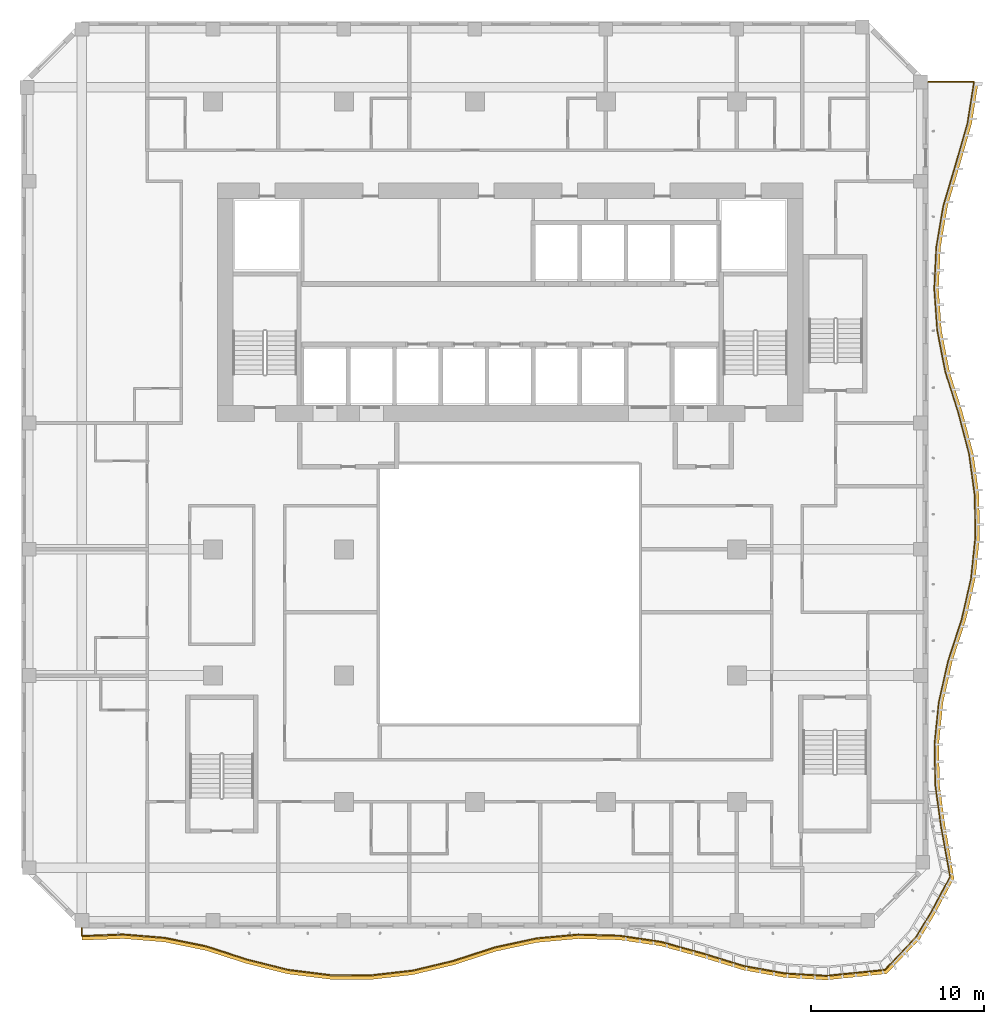
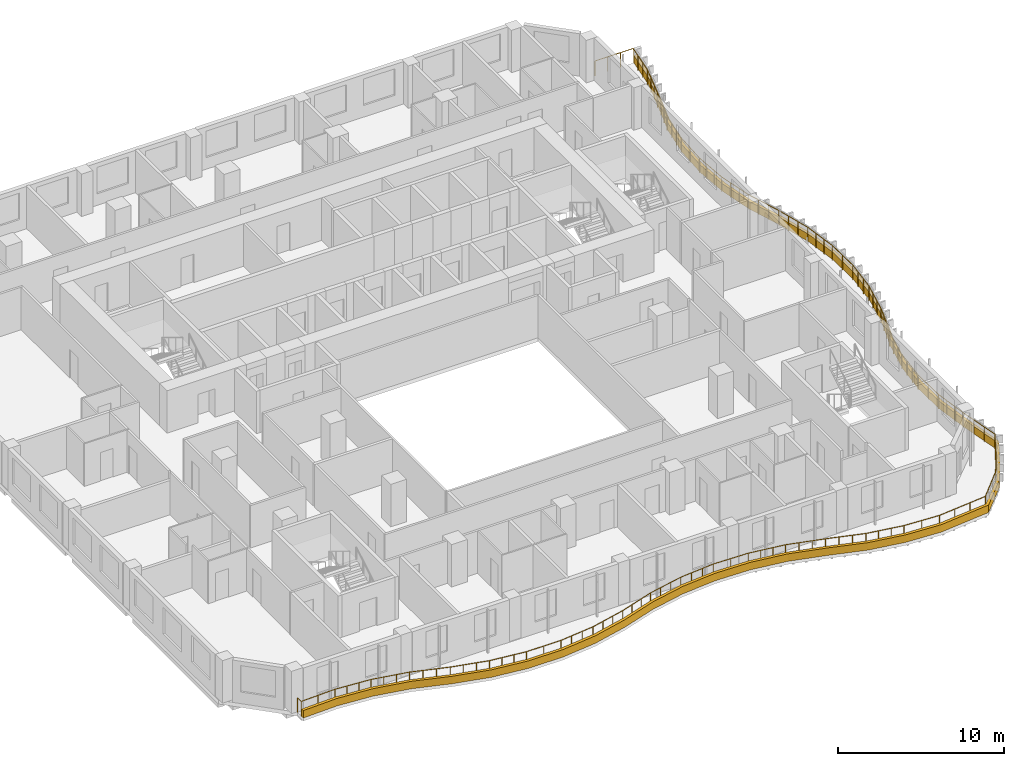
# One storey, part 15 of 20: 1 railing, 1 shading device.
"""IFC4 building model written with IfcOpenShell, lengths in metres."""

from ifc_helpers import new_model, si_unit, direction, frame, origin, origin_2d, place, context, subcontext, project, spatial, polyline, circle, outline, extrude, source, transform, mapped, material, layer, layer_set, type_object, element, save


model = new_model("IFC4")

# Units and contexts
model_context = context("Model", 3, precision=1e-05, world=origin(), true_north=direction((0.0, 1.0)))
body_context = subcontext(model_context, "Body", "Model", "MODEL_VIEW")
ifc_project = project(units=[si_unit("LENGTHUNIT", "METRE"), si_unit("AREAUNIT", "SQUARE_METRE"), si_unit("VOLUMEUNIT", "CUBIC_METRE"), si_unit("PLANEANGLEUNIT", "RADIAN"), si_unit("MASSUNIT", "GRAM", prefix="KILO")], contexts=[model_context])

# Site, building, storey
site_placement = place(None, origin())
site = spatial("IfcSite", under=ifc_project, at=site_placement, CompositionType="ELEMENT")
building_placement = place(site_placement, origin())
building = spatial("IfcBuilding", under=site, at=building_placement, Name="Kilnfold Tower and Market Hall", CompositionType="ELEMENT")
storey_placement = place(building_placement, frame((0.0, 0.0, 157.5)))
storey = spatial("IfcBuildingStorey", under=building, at=storey_placement, Name="L36", CompositionType="ELEMENT", Elevation=157.5)

# Railing
ifc_material_1 = material(Name="Stainless steel and laminated glass", Category="steel")
railing_type = type_object("IfcRailingType", Name="GUARD 1100", PredefinedType="GUARDRAIL", material=ifc_material_1)
railing_placement = place(storey_placement, frame((-23.75, -21.25, 0.0)))
element("IfcRailing", 1, at=railing_placement, inside=storey, type_object=railing_type, Name="Guard balcony L36", PredefinedType="GUARDRAIL", context=body_context, shape_type="SweptSolid", body=[
    extrude(circle(Radius=0.02490234375, at=origin_2d()), frame((0.0, 0.0, 1.0751953125), z_axis=(0.0, -1.0, 0.0), x_axis=(1.0, 0.0, 0.0)), (0.0, 0.0, 1.0), 0.4453125),
    extrude(circle(Radius=0.02490234375, at=origin_2d()), frame((0.0, -0.4453125, 1.0751953125), z_axis=(0.999285499224, 0.037795383853, 0.0), x_axis=(-0.037795383853, 0.999285499224, 0.0)), (0.0, 0.0, 1.0), 2.396484375),
    extrude(circle(Radius=0.02490234375, at=origin_2d()), frame((2.394775390625, -0.354736328125, 1.0751953125), z_axis=(0.996698894038, -0.081186911646, 0.0), x_axis=(0.081186911646, 0.996698894038, 0.0)), (0.0, 0.0, 1.0), 2.402587890625),
    extrude(circle(Radius=0.02490234375, at=origin_2d()), frame((4.78955078125, -0.5498046875, 1.0751953125), z_axis=(0.979777288655, -0.200091140821, 0.0), x_axis=(0.200091140821, 0.979777288655, 0.0)), (0.0, 0.0, 1.0), 2.44384765625),
    extrude(circle(Radius=0.02490234375, at=origin_2d()), frame((7.18408203125, -1.038818359375, 1.0751953125), z_axis=(0.951884070417, -0.306458343804, 0.0), x_axis=(0.306458343804, 0.951884070417, 0.0)), (0.0, 0.0, 1.0), 2.515869140625),
    extrude(circle(Radius=0.02490234375, at=origin_2d()), frame((9.578857421875, -1.809814453125, 1.0751953125), z_axis=(0.970078474346, -0.24279158472, 0.0), x_axis=(0.24279158472, 0.970078474346, 0.0)), (0.0, 0.0, 1.0), 2.46875),
    extrude(circle(Radius=0.02490234375, at=origin_2d()), frame((11.9736328125, -2.4091796875, 1.0751953125), z_axis=(0.992291877345, -0.123922678127, 0.0), x_axis=(0.123922678127, 0.992291877345, 0.0)), (0.0, 0.0, 1.0), 2.413330078125),
    extrude(circle(Radius=0.02490234375, at=origin_2d()), frame((14.368408203125, -2.708251953125, 1.0751953125), z_axis=(0.999987523161, -0.004995350049, 0.0), x_axis=(0.004995350049, 0.999987523161, 0.0)), (0.0, 0.0, 1.0), 2.394775390625),
    extrude(circle(Radius=0.02490234375, at=origin_2d()), frame((16.76318359375, -2.72021484375, 1.0751953125), z_axis=(0.993475745503, 0.114043601737, 0.0), x_axis=(-0.114043601737, 0.993475745503, 0.0)), (0.0, 0.0, 1.0), 2.410400390625),
    extrude(circle(Radius=0.02490234375, at=origin_2d()), frame((19.157958984375, -2.4453125, 1.0751953125), z_axis=(0.972475433643, 0.233005431185, 0.0), x_axis=(-0.233005431185, 0.972475433643, 0.0)), (0.0, 0.0, 1.0), 2.46240234375),
    extrude(circle(Radius=0.02490234375, at=origin_2d()), frame((21.552490234375, -1.87158203125, 1.0751953125), z_axis=(0.951041192838, 0.309064151149, 0.0), x_axis=(-0.309064151149, 0.951041192838, 0.0)), (0.0, 0.0, 1.0), 2.518310546875),
    extrude(circle(Radius=0.02490234375, at=origin_2d()), frame((23.947509765625, -1.09326171875, 1.0751953125), z_axis=(0.977694334529, 0.210032826555, 0.0), x_axis=(-0.210032826555, 0.977694334529, 0.0)), (0.0, 0.0, 1.0), 2.44921875),
    extrude(circle(Radius=0.02490234375, at=origin_2d()), frame((26.342041015625, -0.578857421875, 1.0751953125), z_axis=(0.995854001632, 0.090965968545, 0.0), x_axis=(-0.090965968545, 0.995854001632, 0.0)), (0.0, 0.0, 1.0), 2.40478515625),
    extrude(circle(Radius=0.02490234375, at=origin_2d()), frame((28.73681640625, -0.360107421875, 1.0751953125), z_axis=(0.999610087106, -0.027922638788, 0.0), x_axis=(0.027922638788, 0.999610087106, 0.0)), (0.0, 0.0, 1.0), 2.395751953125),
    extrude(circle(Radius=0.02490234375, at=origin_2d()), frame((31.131591796875, -0.427001953125, 1.0751953125), z_axis=(0.989162274279, -0.146826411597, 0.0), x_axis=(0.146826411597, 0.989162274279, 0.0)), (0.0, 0.0, 1.0), 2.4208984375),
    extrude(circle(Radius=0.02490234375, at=origin_2d()), frame((33.5263671875, -0.782470703125, 1.0751953125), z_axis=(0.964041254031, -0.265752630329, 0.0), x_axis=(0.265752630329, 0.964041254031, 0.0)), (0.0, 0.0, 1.0), 2.484130859375),
    extrude(circle(Radius=0.02490234375, at=origin_2d()), frame((35.921142578125, -1.442626953125, 1.0751953125), z_axis=(0.95578322222, -0.294072154619, 0.0), x_axis=(0.294072154619, 0.95578322222, 0.0)), (0.0, 0.0, 1.0), 2.505615234375),
    extrude(circle(Radius=0.02490234375, at=origin_2d()), frame((38.31591796875, -2.179443359375, 1.0751953125), z_axis=(0.984191021013, -0.177110231657, 0.0), x_axis=(0.177110231657, 0.984191021013, 0.0)), (0.0, 0.0, 1.0), 2.43310546875),
    extrude(circle(Radius=0.02490234375, at=origin_2d()), frame((40.71044921875, -2.6103515625, 1.0751953125), z_axis=(0.998304074766, -0.058214897621, 0.0), x_axis=(0.058214897621, 0.998304074766, 0.0)), (0.0, 0.0, 1.0), 2.39892578125),
    extrude(circle(Radius=0.02490234375, at=origin_2d()), frame((43.105224609375, -2.75, 1.0751953125), z_axis=(0.994895073816, 0.100914776402, 0.0), x_axis=(-0.100914776402, 0.994895073816, 0.0)), (0.0, 0.0, 1.0), 3.40869140625),
    extrude(circle(Radius=0.02490234375, at=origin_2d()), frame((46.49658203125, -2.406005859375, 1.0751953125), z_axis=(0.687903209609, 0.725802434696, 0.0), x_axis=(-0.725802434696, 0.687903209609, 0.0)), (0.0, 0.0, 1.0), 2.647705078125),
    extrude(circle(Radius=0.02490234375, at=origin_2d()), frame((48.31787109375, -0.484375, 1.0751953125), z_axis=(0.514179076421, 0.857682853606, 0.0), x_axis=(-0.857682853606, 0.514179076421, 0.0)), (0.0, 0.0, 1.0), 1.70068359375),
    extrude(circle(Radius=0.02490234375, at=origin_2d()), frame((49.1923828125, 0.974365234375, 1.0751953125), z_axis=(0.473080286495, 0.88101932018, 0.0), x_axis=(-0.88101932018, 0.473080286495, 0.0)), (0.0, 0.0, 1.0), 2.271240234375),
    extrude(circle(Radius=0.02490234375, at=origin_2d()), frame((50.266845703125, 2.975341796875, 1.0751953125), z_axis=(-0.177914965773, 0.98404586527, 0.0), x_axis=(-0.98404586527, -0.177914965773, 0.0)), (0.0, 0.0, 1.0), 2.966796875),
    extrude(circle(Radius=0.02490234375, at=origin_2d()), frame((49.739013671875, 5.894775390625, 1.0751953125), z_axis=(-0.136343479857, 0.990661625128, 0.0), x_axis=(-0.990661625128, -0.136343479857, 0.0)), (0.0, 0.0, 1.0), 2.417236328125),
    extrude(circle(Radius=0.02490234375, at=origin_2d()), frame((49.409423828125, 8.28955078125, 1.0751953125), z_axis=(-0.017330186539, 0.99984982104, 0.0), x_axis=(-0.99984982104, -0.017330186539, 0.0)), (0.0, 0.0, 1.0), 2.394775390625),
    extrude(circle(Radius=0.02490234375, at=origin_2d()), frame((49.367919921875, 10.68408203125, 1.0751953125), z_axis=(0.101521881914, 0.994833306385, 0.0), x_axis=(-0.994833306385, 0.101521881914, 0.0)), (0.0, 0.0, 1.0), 2.4072265625),
    extrude(circle(Radius=0.02490234375, at=origin_2d()), frame((49.6123046875, 13.078857421875, 1.0751953125), z_axis=(0.220456200603, 0.975396874926, 0.0), x_axis=(-0.975396874926, 0.220456200603, 0.0)), (0.0, 0.0, 1.0), 2.455078125),
    extrude(circle(Radius=0.02490234375, at=origin_2d()), frame((50.153564453125, 15.4736328125, 1.0751953125), z_axis=(0.310231980147, 0.950660885118, 0.0), x_axis=(-0.950660885118, 0.310231980147, 0.0)), (0.0, 0.0, 1.0), 2.51904296875),
    extrude(circle(Radius=0.02490234375, at=origin_2d()), frame((50.93505859375, 17.868408203125, 1.0751953125), z_axis=(0.222441554451, 0.974946026636, 0.0), x_axis=(-0.974946026636, 0.222441554451, 0.0)), (0.0, 0.0, 1.0), 2.456298828125),
    extrude(circle(Radius=0.02490234375, at=origin_2d()), frame((51.4814453125, 20.26318359375, 1.0751953125), z_axis=(0.103428446803, 0.994636896758, 0.0), x_axis=(-0.994636896758, 0.103428446803, 0.0)), (0.0, 0.0, 1.0), 2.40771484375),
    extrude(circle(Radius=0.02490234375, at=origin_2d()), frame((51.73046875, 22.657958984375, 1.0751953125), z_axis=(-0.015393771191, 0.999881508884, 0.0), x_axis=(-0.999881508884, -0.015393771191, 0.0)), (0.0, 0.0, 1.0), 2.394775390625),
    extrude(circle(Radius=0.02490234375, at=origin_2d()), frame((51.693603515625, 25.052490234375, 1.0751953125), z_axis=(-0.134446048726, 0.9909209151, 0.0), x_axis=(-0.9909209151, -0.134446048726, 0.0)), (0.0, 0.0, 1.0), 2.4169921875),
    extrude(circle(Radius=0.02490234375, at=origin_2d()), frame((51.36865234375, 27.447509765625, 1.0751953125), z_axis=(-0.253381367765, 0.967366467513, 0.0), x_axis=(-0.967366467513, -0.253381367765, 0.0)), (0.0, 0.0, 1.0), 2.475341796875),
    extrude(circle(Radius=0.02490234375, at=origin_2d()), frame((50.741455078125, 29.842041015625, 1.0751953125), z_axis=(-0.301875510226, 0.953347353448, 0.0), x_axis=(-0.953347353448, -0.301875510226, 0.0)), (0.0, 0.0, 1.0), 2.511962890625),
    extrude(circle(Radius=0.02490234375, at=origin_2d()), frame((49.983154296875, 32.23681640625, 1.0751953125), z_axis=(-0.189586154087, 0.981864089464, 0.0), x_axis=(-0.981864089464, -0.189586154087, 0.0)), (0.0, 0.0, 1.0), 2.43896484375),
    extrude(circle(Radius=0.02490234375, at=origin_2d()), frame((49.520751953125, 34.631591796875, 1.0751953125), z_axis=(-0.070574930945, 0.997506480742, 0.0), x_axis=(-0.997506480742, -0.070574930945, 0.0)), (0.0, 0.0, 1.0), 2.40087890625),
    extrude(circle(Radius=0.02490234375, at=origin_2d()), frame((49.351318359375, 37.0263671875, 1.0751953125), z_axis=(0.048266647613, 0.998834486153, 0.0), x_axis=(-0.998834486153, 0.048266647613, 0.0)), (0.0, 0.0, 1.0), 2.3974609375),
    extrude(circle(Radius=0.02490234375, at=origin_2d()), frame((49.467041015625, 39.421142578125, 1.0751953125), z_axis=(0.167250644967, 0.985914408941, 0.0), x_axis=(-0.985914408941, 0.167250644967, 0.0)), (0.0, 0.0, 1.0), 2.428955078125),
    extrude(circle(Radius=0.02490234375, at=origin_2d()), frame((49.873291015625, 41.81591796875, 1.0751953125), z_axis=(0.285967241733, 0.958239394231, 0.0), x_axis=(-0.958239394231, 0.285967241733, 0.0)), (0.0, 0.0, 1.0), 2.498779296875),
    extrude(circle(Radius=0.02490234375, at=origin_2d()), frame((50.587890625, 44.21044921875, 1.0751953125), z_axis=(0.275665835202, 0.961253529149, 0.0), x_axis=(-0.961253529149, 0.275665835202, 0.0)), (0.0, 0.0, 1.0), 2.4912109375),
    extrude(circle(Radius=0.02490234375, at=origin_2d()), frame((51.274658203125, 46.605224609375, 1.0751953125), z_axis=(0.156769103124, 0.987635281015, 0.0), x_axis=(-0.987635281015, 0.156769103124, 0.0)), (0.0, 0.0, 1.0), 2.4248046875),
    extrude(circle(Radius=0.02490234375, at=origin_2d()), frame((51.65478515625, 49.0, 1.0751953125), z_axis=(-1.0, 0.0, 0.0), x_axis=(0.0, -1.0, 0.0)), (0.0, 0.0, 1.0), 2.65478515625),
    extrude(circle(Radius=0.02490234375, at=origin_2d()), origin(), (0.0, 0.0, 1.0), 1.050048828125),
    extrude(circle(Radius=0.02490234375, at=origin_2d()), frame((0.0, -0.4453125, 0.0)), (0.0, 0.0, 1.0), 1.050048828125),
    extrude(circle(Radius=0.02490234375, at=origin_2d()), frame((1.197265625, -0.39990234375, 0.0)), (0.0, 0.0, 1.0), 1.050048828125),
    extrude(circle(Radius=0.02490234375, at=origin_2d()), frame((2.394775390625, -0.354736328125, 0.0)), (0.0, 0.0, 1.0), 1.050048828125),
    extrude(circle(Radius=0.02490234375, at=origin_2d()), frame((3.193115234375, -0.419677734375, 0.0)), (0.0, 0.0, 1.0), 1.050048828125),
    extrude(circle(Radius=0.02490234375, at=origin_2d()), frame((3.9912109375, -0.48486328125, 0.0)), (0.0, 0.0, 1.0), 1.050048828125),
    extrude(circle(Radius=0.02490234375, at=origin_2d()), frame((4.78955078125, -0.5498046875, 0.0)), (0.0, 0.0, 1.0), 1.050048828125),
    extrude(circle(Radius=0.02490234375, at=origin_2d()), frame((5.587646484375, -0.712890625, 0.0)), (0.0, 0.0, 1.0), 1.050048828125),
    extrude(circle(Radius=0.02490234375, at=origin_2d()), frame((6.385986328125, -0.875732421875, 0.0)), (0.0, 0.0, 1.0), 1.050048828125),
    extrude(circle(Radius=0.02490234375, at=origin_2d()), frame((7.18408203125, -1.038818359375, 0.0)), (0.0, 0.0, 1.0), 1.050048828125),
    extrude(circle(Radius=0.02490234375, at=origin_2d()), frame((7.982421875, -1.2958984375, 0.0)), (0.0, 0.0, 1.0), 1.050048828125),
    extrude(circle(Radius=0.02490234375, at=origin_2d()), frame((8.780517578125, -1.552734375, 0.0)), (0.0, 0.0, 1.0), 1.050048828125),
    extrude(circle(Radius=0.02490234375, at=origin_2d()), frame((9.578857421875, -1.809814453125, 0.0)), (0.0, 0.0, 1.0), 1.050048828125),
    extrude(circle(Radius=0.02490234375, at=origin_2d()), frame((10.377197265625, -2.009521484375, 0.0)), (0.0, 0.0, 1.0), 1.050048828125),
    extrude(circle(Radius=0.02490234375, at=origin_2d()), frame((11.17529296875, -2.20947265625, 0.0)), (0.0, 0.0, 1.0), 1.050048828125),
    extrude(circle(Radius=0.02490234375, at=origin_2d()), frame((11.9736328125, -2.4091796875, 0.0)), (0.0, 0.0, 1.0), 1.050048828125),
    extrude(circle(Radius=0.02490234375, at=origin_2d()), frame((12.77197265625, -2.5087890625, 0.0)), (0.0, 0.0, 1.0), 1.050048828125),
    extrude(circle(Radius=0.02490234375, at=origin_2d()), frame((13.570068359375, -2.608642578125, 0.0)), (0.0, 0.0, 1.0), 1.050048828125),
    extrude(circle(Radius=0.02490234375, at=origin_2d()), frame((14.368408203125, -2.708251953125, 0.0)), (0.0, 0.0, 1.0), 1.050048828125),
    extrude(circle(Radius=0.02490234375, at=origin_2d()), frame((15.56591796875, -2.71435546875, 0.0)), (0.0, 0.0, 1.0), 1.050048828125),
    extrude(circle(Radius=0.02490234375, at=origin_2d()), frame((16.76318359375, -2.72021484375, 0.0)), (0.0, 0.0, 1.0), 1.050048828125),
    extrude(circle(Radius=0.02490234375, at=origin_2d()), frame((17.5615234375, -2.628662109375, 0.0)), (0.0, 0.0, 1.0), 1.050048828125),
    extrude(circle(Radius=0.02490234375, at=origin_2d()), frame((18.359619140625, -2.536865234375, 0.0)), (0.0, 0.0, 1.0), 1.050048828125),
    extrude(circle(Radius=0.02490234375, at=origin_2d()), frame((19.157958984375, -2.4453125, 0.0)), (0.0, 0.0, 1.0), 1.050048828125),
    extrude(circle(Radius=0.02490234375, at=origin_2d()), frame((19.9560546875, -2.254150390625, 0.0)), (0.0, 0.0, 1.0), 1.050048828125),
    extrude(circle(Radius=0.02490234375, at=origin_2d()), frame((20.75439453125, -2.062744140625, 0.0)), (0.0, 0.0, 1.0), 1.050048828125),
    extrude(circle(Radius=0.02490234375, at=origin_2d()), frame((21.552490234375, -1.87158203125, 0.0)), (0.0, 0.0, 1.0), 1.050048828125),
    extrude(circle(Radius=0.02490234375, at=origin_2d()), frame((22.350830078125, -1.612060546875, 0.0)), (0.0, 0.0, 1.0), 1.050048828125),
    extrude(circle(Radius=0.02490234375, at=origin_2d()), frame((23.149169921875, -1.352783203125, 0.0)), (0.0, 0.0, 1.0), 1.050048828125),
    extrude(circle(Radius=0.02490234375, at=origin_2d()), frame((23.947509765625, -1.09326171875, 0.0)), (0.0, 0.0, 1.0), 1.050048828125),
    extrude(circle(Radius=0.02490234375, at=origin_2d()), frame((24.74560546875, -0.921875, 0.0)), (0.0, 0.0, 1.0), 1.050048828125),
    extrude(circle(Radius=0.02490234375, at=origin_2d()), frame((25.5439453125, -0.750244140625, 0.0)), (0.0, 0.0, 1.0), 1.050048828125),
    extrude(circle(Radius=0.02490234375, at=origin_2d()), frame((26.342041015625, -0.578857421875, 0.0)), (0.0, 0.0, 1.0), 1.050048828125),
    extrude(circle(Radius=0.02490234375, at=origin_2d()), frame((27.140380859375, -0.505859375, 0.0)), (0.0, 0.0, 1.0), 1.050048828125),
    extrude(circle(Radius=0.02490234375, at=origin_2d()), frame((27.9384765625, -0.43310546875, 0.0)), (0.0, 0.0, 1.0), 1.050048828125),
    extrude(circle(Radius=0.02490234375, at=origin_2d()), frame((28.73681640625, -0.360107421875, 0.0)), (0.0, 0.0, 1.0), 1.050048828125),
    extrude(circle(Radius=0.02490234375, at=origin_2d()), frame((29.93408203125, -0.3935546875, 0.0)), (0.0, 0.0, 1.0), 1.050048828125),
    extrude(circle(Radius=0.02490234375, at=origin_2d()), frame((31.131591796875, -0.427001953125, 0.0)), (0.0, 0.0, 1.0), 1.050048828125),
    extrude(circle(Radius=0.02490234375, at=origin_2d()), frame((31.929931640625, -0.54541015625, 0.0)), (0.0, 0.0, 1.0), 1.050048828125),
    extrude(circle(Radius=0.02490234375, at=origin_2d()), frame((32.72802734375, -0.6640625, 0.0)), (0.0, 0.0, 1.0), 1.050048828125),
    extrude(circle(Radius=0.02490234375, at=origin_2d()), frame((33.5263671875, -0.782470703125, 0.0)), (0.0, 0.0, 1.0), 1.050048828125),
    extrude(circle(Radius=0.02490234375, at=origin_2d()), frame((34.32470703125, -1.00244140625, 0.0)), (0.0, 0.0, 1.0), 1.050048828125),
    extrude(circle(Radius=0.02490234375, at=origin_2d()), frame((35.122802734375, -1.22265625, 0.0)), (0.0, 0.0, 1.0), 1.050048828125),
    extrude(circle(Radius=0.02490234375, at=origin_2d()), frame((35.921142578125, -1.442626953125, 0.0)), (0.0, 0.0, 1.0), 1.050048828125),
    extrude(circle(Radius=0.02490234375, at=origin_2d()), frame((36.719482421875, -1.688232421875, 0.0)), (0.0, 0.0, 1.0), 1.050048828125),
    extrude(circle(Radius=0.02490234375, at=origin_2d()), frame((37.517578125, -1.933837890625, 0.0)), (0.0, 0.0, 1.0), 1.050048828125),
    extrude(circle(Radius=0.02490234375, at=origin_2d()), frame((38.31591796875, -2.179443359375, 0.0)), (0.0, 0.0, 1.0), 1.050048828125),
    extrude(circle(Radius=0.02490234375, at=origin_2d()), frame((39.114013671875, -2.322998046875, 0.0)), (0.0, 0.0, 1.0), 1.050048828125),
    extrude(circle(Radius=0.02490234375, at=origin_2d()), frame((39.912353515625, -2.466796875, 0.0)), (0.0, 0.0, 1.0), 1.050048828125),
    extrude(circle(Radius=0.02490234375, at=origin_2d()), frame((40.71044921875, -2.6103515625, 0.0)), (0.0, 0.0, 1.0), 1.050048828125),
    extrude(circle(Radius=0.02490234375, at=origin_2d()), frame((41.90771484375, -2.68017578125, 0.0)), (0.0, 0.0, 1.0), 1.050048828125),
    extrude(circle(Radius=0.02490234375, at=origin_2d()), frame((43.105224609375, -2.75, 0.0)), (0.0, 0.0, 1.0), 1.050048828125),
    extrude(circle(Radius=0.02490234375, at=origin_2d()), frame((44.235595703125, -2.63525390625, 0.0)), (0.0, 0.0, 1.0), 1.050048828125),
    extrude(circle(Radius=0.02490234375, at=origin_2d()), frame((45.3662109375, -2.520751953125, 0.0)), (0.0, 0.0, 1.0), 1.050048828125),
    extrude(circle(Radius=0.02490234375, at=origin_2d()), frame((46.49658203125, -2.406005859375, 0.0)), (0.0, 0.0, 1.0), 1.050048828125),
    extrude(circle(Radius=0.02490234375, at=origin_2d()), frame((47.103759765625, -1.765380859375, 0.0)), (0.0, 0.0, 1.0), 1.050048828125),
    extrude(circle(Radius=0.02490234375, at=origin_2d()), frame((47.710693359375, -1.125, 0.0)), (0.0, 0.0, 1.0), 1.050048828125),
    extrude(circle(Radius=0.02490234375, at=origin_2d()), frame((48.31787109375, -0.484375, 0.0)), (0.0, 0.0, 1.0), 1.050048828125),
    extrude(circle(Radius=0.02490234375, at=origin_2d()), frame((48.755126953125, 0.2451171875, 0.0)), (0.0, 0.0, 1.0), 1.050048828125),
    extrude(circle(Radius=0.02490234375, at=origin_2d()), frame((49.1923828125, 0.974365234375, 0.0)), (0.0, 0.0, 1.0), 1.050048828125),
    extrude(circle(Radius=0.02490234375, at=origin_2d()), frame((49.7294921875, 1.974853515625, 0.0)), (0.0, 0.0, 1.0), 1.050048828125),
    extrude(circle(Radius=0.02490234375, at=origin_2d()), frame((50.266845703125, 2.975341796875, 0.0)), (0.0, 0.0, 1.0), 1.050048828125),
    extrude(circle(Radius=0.02490234375, at=origin_2d()), frame((50.0908203125, 3.948486328125, 0.0)), (0.0, 0.0, 1.0), 1.050048828125),
    extrude(circle(Radius=0.02490234375, at=origin_2d()), frame((49.9150390625, 4.921630859375, 0.0)), (0.0, 0.0, 1.0), 1.050048828125),
    extrude(circle(Radius=0.02490234375, at=origin_2d()), frame((49.739013671875, 5.894775390625, 0.0)), (0.0, 0.0, 1.0), 1.050048828125),
    extrude(circle(Radius=0.02490234375, at=origin_2d()), frame((49.629150390625, 6.693115234375, 0.0)), (0.0, 0.0, 1.0), 1.050048828125),
    extrude(circle(Radius=0.02490234375, at=origin_2d()), frame((49.519287109375, 7.4912109375, 0.0)), (0.0, 0.0, 1.0), 1.050048828125),
    extrude(circle(Radius=0.02490234375, at=origin_2d()), frame((49.409423828125, 8.28955078125, 0.0)), (0.0, 0.0, 1.0), 1.050048828125),
    extrude(circle(Radius=0.02490234375, at=origin_2d()), frame((49.388671875, 9.48681640625, 0.0)), (0.0, 0.0, 1.0), 1.050048828125),
    extrude(circle(Radius=0.02490234375, at=origin_2d()), frame((49.367919921875, 10.68408203125, 0.0)), (0.0, 0.0, 1.0), 1.050048828125),
    extrude(circle(Radius=0.02490234375, at=origin_2d()), frame((49.449462890625, 11.482421875, 0.0)), (0.0, 0.0, 1.0), 1.050048828125),
    extrude(circle(Radius=0.02490234375, at=origin_2d()), frame((49.53076171875, 12.280517578125, 0.0)), (0.0, 0.0, 1.0), 1.050048828125),
    extrude(circle(Radius=0.02490234375, at=origin_2d()), frame((49.6123046875, 13.078857421875, 0.0)), (0.0, 0.0, 1.0), 1.050048828125),
    extrude(circle(Radius=0.02490234375, at=origin_2d()), frame((49.792724609375, 13.877197265625, 0.0)), (0.0, 0.0, 1.0), 1.050048828125),
    extrude(circle(Radius=0.02490234375, at=origin_2d()), frame((49.97314453125, 14.67529296875, 0.0)), (0.0, 0.0, 1.0), 1.050048828125),
    extrude(circle(Radius=0.02490234375, at=origin_2d()), frame((50.153564453125, 15.4736328125, 0.0)), (0.0, 0.0, 1.0), 1.050048828125),
    extrude(circle(Radius=0.02490234375, at=origin_2d()), frame((50.4140625, 16.27197265625, 0.0)), (0.0, 0.0, 1.0), 1.050048828125),
    extrude(circle(Radius=0.02490234375, at=origin_2d()), frame((50.674560546875, 17.070068359375, 0.0)), (0.0, 0.0, 1.0), 1.050048828125),
    extrude(circle(Radius=0.02490234375, at=origin_2d()), frame((50.93505859375, 17.868408203125, 0.0)), (0.0, 0.0, 1.0), 1.050048828125),
    extrude(circle(Radius=0.02490234375, at=origin_2d()), frame((51.1171875, 18.666748046875, 0.0)), (0.0, 0.0, 1.0), 1.050048828125),
    extrude(circle(Radius=0.02490234375, at=origin_2d()), frame((51.29931640625, 19.46484375, 0.0)), (0.0, 0.0, 1.0), 1.050048828125),
    extrude(circle(Radius=0.02490234375, at=origin_2d()), frame((51.4814453125, 20.26318359375, 0.0)), (0.0, 0.0, 1.0), 1.050048828125),
    extrude(circle(Radius=0.02490234375, at=origin_2d()), frame((51.564453125, 21.0615234375, 0.0)), (0.0, 0.0, 1.0), 1.050048828125),
    extrude(circle(Radius=0.02490234375, at=origin_2d()), frame((51.6474609375, 21.859619140625, 0.0)), (0.0, 0.0, 1.0), 1.050048828125),
    extrude(circle(Radius=0.02490234375, at=origin_2d()), frame((51.73046875, 22.657958984375, 0.0)), (0.0, 0.0, 1.0), 1.050048828125),
    extrude(circle(Radius=0.02490234375, at=origin_2d()), frame((51.7119140625, 23.855224609375, 0.0)), (0.0, 0.0, 1.0), 1.050048828125),
    extrude(circle(Radius=0.02490234375, at=origin_2d()), frame((51.693603515625, 25.052490234375, 0.0)), (0.0, 0.0, 1.0), 1.050048828125),
    extrude(circle(Radius=0.02490234375, at=origin_2d()), frame((51.585205078125, 25.850830078125, 0.0)), (0.0, 0.0, 1.0), 1.050048828125),
    extrude(circle(Radius=0.02490234375, at=origin_2d()), frame((51.47705078125, 26.649169921875, 0.0)), (0.0, 0.0, 1.0), 1.050048828125),
    extrude(circle(Radius=0.02490234375, at=origin_2d()), frame((51.36865234375, 27.447509765625, 0.0)), (0.0, 0.0, 1.0), 1.050048828125),
    extrude(circle(Radius=0.02490234375, at=origin_2d()), frame((51.15966796875, 28.24560546875, 0.0)), (0.0, 0.0, 1.0), 1.050048828125),
    extrude(circle(Radius=0.02490234375, at=origin_2d()), frame((50.950439453125, 29.0439453125, 0.0)), (0.0, 0.0, 1.0), 1.050048828125),
    extrude(circle(Radius=0.02490234375, at=origin_2d()), frame((50.741455078125, 29.842041015625, 0.0)), (0.0, 0.0, 1.0), 1.050048828125),
    extrude(circle(Radius=0.02490234375, at=origin_2d()), frame((50.48876953125, 30.640380859375, 0.0)), (0.0, 0.0, 1.0), 1.050048828125),
    extrude(circle(Radius=0.02490234375, at=origin_2d()), frame((50.23583984375, 31.4384765625, 0.0)), (0.0, 0.0, 1.0), 1.050048828125),
    extrude(circle(Radius=0.02490234375, at=origin_2d()), frame((49.983154296875, 32.23681640625, 0.0)), (0.0, 0.0, 1.0), 1.050048828125),
    extrude(circle(Radius=0.02490234375, at=origin_2d()), frame((49.8291015625, 33.03515625, 0.0)), (0.0, 0.0, 1.0), 1.050048828125),
    extrude(circle(Radius=0.02490234375, at=origin_2d()), frame((49.6748046875, 33.833251953125, 0.0)), (0.0, 0.0, 1.0), 1.050048828125),
    extrude(circle(Radius=0.02490234375, at=origin_2d()), frame((49.520751953125, 34.631591796875, 0.0)), (0.0, 0.0, 1.0), 1.050048828125),
    extrude(circle(Radius=0.02490234375, at=origin_2d()), frame((49.46435546875, 35.429931640625, 0.0)), (0.0, 0.0, 1.0), 1.050048828125),
    extrude(circle(Radius=0.02490234375, at=origin_2d()), frame((49.40771484375, 36.22802734375, 0.0)), (0.0, 0.0, 1.0), 1.050048828125),
    extrude(circle(Radius=0.02490234375, at=origin_2d()), frame((49.351318359375, 37.0263671875, 0.0)), (0.0, 0.0, 1.0), 1.050048828125),
    extrude(circle(Radius=0.02490234375, at=origin_2d()), frame((49.4091796875, 38.2236328125, 0.0)), (0.0, 0.0, 1.0), 1.050048828125),
    extrude(circle(Radius=0.02490234375, at=origin_2d()), frame((49.467041015625, 39.421142578125, 0.0)), (0.0, 0.0, 1.0), 1.050048828125),
    extrude(circle(Radius=0.02490234375, at=origin_2d()), frame((49.6025390625, 40.219482421875, 0.0)), (0.0, 0.0, 1.0), 1.050048828125),
    extrude(circle(Radius=0.02490234375, at=origin_2d()), frame((49.73779296875, 41.017578125, 0.0)), (0.0, 0.0, 1.0), 1.050048828125),
    extrude(circle(Radius=0.02490234375, at=origin_2d()), frame((49.873291015625, 41.81591796875, 0.0)), (0.0, 0.0, 1.0), 1.050048828125),
    extrude(circle(Radius=0.02490234375, at=origin_2d()), frame((50.111572265625, 42.614013671875, 0.0)), (0.0, 0.0, 1.0), 1.050048828125),
    extrude(circle(Radius=0.02490234375, at=origin_2d()), frame((50.349609375, 43.412353515625, 0.0)), (0.0, 0.0, 1.0), 1.050048828125),
    extrude(circle(Radius=0.02490234375, at=origin_2d()), frame((50.587890625, 44.21044921875, 0.0)), (0.0, 0.0, 1.0), 1.050048828125),
    extrude(circle(Radius=0.02490234375, at=origin_2d()), frame((50.81689453125, 45.0087890625, 0.0)), (0.0, 0.0, 1.0), 1.050048828125),
    extrude(circle(Radius=0.02490234375, at=origin_2d()), frame((51.045654296875, 45.806884765625, 0.0)), (0.0, 0.0, 1.0), 1.050048828125),
    extrude(circle(Radius=0.02490234375, at=origin_2d()), frame((51.274658203125, 46.605224609375, 0.0)), (0.0, 0.0, 1.0), 1.050048828125),
    extrude(circle(Radius=0.02490234375, at=origin_2d()), frame((51.4013671875, 47.403564453125, 0.0)), (0.0, 0.0, 1.0), 1.050048828125),
    extrude(circle(Radius=0.02490234375, at=origin_2d()), frame((51.528076171875, 48.20166015625, 0.0)), (0.0, 0.0, 1.0), 1.050048828125),
    extrude(circle(Radius=0.02490234375, at=origin_2d()), frame((51.65478515625, 49.0, 0.0)), (0.0, 0.0, 1.0), 1.050048828125),
    extrude(circle(Radius=0.02490234375, at=origin_2d()), frame((50.769775390625, 49.0, 0.0)), (0.0, 0.0, 1.0), 1.050048828125),
    extrude(circle(Radius=0.02490234375, at=origin_2d()), frame((49.885009765625, 49.0, 0.0)), (0.0, 0.0, 1.0), 1.050048828125),
    extrude(circle(Radius=0.02490234375, at=origin_2d()), frame((49.0, 49.0, 0.0)), (0.0, 0.0, 1.0), 1.050048828125),
])

# Shading device
ifc_material_2 = material(Name="Precast concrete C50/60", Category="concrete")
ifc_layer = layer(ifc_material_2, 0.550048828125)
ifc_layer_set = layer_set([ifc_layer], Name="Precast concrete C50/60")
shading_device_type = type_object("IfcShadingDeviceType", Name="BALCONY UPSTAND 550", PredefinedType="USERDEFINED", material=ifc_layer_set)
shared_shape = source(origin(), body_context, "Body", "SweptSolid", [
    extrude(outline(polyline([(-23.75, -21.9453125), (-21.355224609375, -21.854736328125), (-18.96044921875, -22.0498046875), (-16.56591796875, -22.538818359375), (-14.171142578125, -23.309814453125), (-11.7763671875, -23.9091796875), (-9.381591796875, -24.208251953125), (-6.98681640625, -24.22021484375), (-4.592041015625, -23.9453125), (-2.197509765625, -23.37158203125), (0.197509765625, -22.59326171875), (2.592041015625, -22.078857421875), (4.98681640625, -21.860107421875), (7.381591796875, -21.927001953125), (9.7763671875, -22.282470703125), (12.171142578125, -22.942626953125), (14.56591796875, -23.679443359375), (16.96044921875, -24.1103515625), (19.355224609375, -24.25), (22.84228515625, -23.886962890625), (24.74462890625, -21.9111328125), (25.619140625, -20.452392578125), (26.747802734375, -18.370361328125), (26.239013671875, -15.355224609375), (25.909423828125, -12.96044921875), (25.867919921875, -10.56591796875), (26.1123046875, -8.171142578125), (26.653564453125, -5.7763671875), (27.43505859375, -3.381591796875), (27.9814453125, -0.98681640625), (28.23046875, 1.407958984375), (28.193603515625, 3.802490234375), (27.86865234375, 6.197509765625), (27.241455078125, 8.592041015625), (26.483154296875, 10.98681640625), (26.020751953125, 13.381591796875), (25.851318359375, 15.7763671875), (25.967041015625, 18.171142578125), (26.373291015625, 20.56591796875), (27.087890625, 22.96044921875), (27.774658203125, 25.355224609375), (28.15478515625, 27.75), (27.95458984375, 27.75), (27.57470703125, 25.355224609375), (26.887939453125, 22.96044921875), (26.17333984375, 20.56591796875), (25.76708984375, 18.171142578125), (25.6513671875, 15.7763671875), (25.82080078125, 13.381591796875), (26.283203125, 10.98681640625), (27.04150390625, 8.592041015625), (27.668701171875, 6.197509765625), (27.993408203125, 3.802490234375), (28.030517578125, 1.407958984375), (27.781494140625, -0.98681640625), (27.235107421875, -3.381591796875), (26.45361328125, -5.7763671875), (25.912353515625, -8.171142578125), (25.667724609375, -10.56591796875), (25.70947265625, -12.96044921875), (26.0390625, -15.355224609375), (26.56298828125, -18.2939453125), (25.477783203125, -20.31103515625), (24.603271484375, -21.769775390625), (22.765869140625, -23.7021484375), (19.355224609375, -24.050048828125), (16.96044921875, -23.910400390625), (14.56591796875, -23.4794921875), (12.171142578125, -22.74267578125), (9.7763671875, -22.08251953125), (7.381591796875, -21.726806640625), (4.98681640625, -21.659912109375), (2.592041015625, -21.87890625), (0.197509765625, -22.393310546875), (-2.197509765625, -23.171630859375), (-4.592041015625, -23.745361328125), (-6.98681640625, -24.02001953125), (-9.381591796875, -24.00830078125), (-11.7763671875, -23.709228515625), (-14.171142578125, -23.10986328125), (-16.56591796875, -22.338623046875), (-18.96044921875, -21.849609375), (-21.355224609375, -21.65478515625), (-23.75, -21.745361328125), (-23.75, -21.9453125)])), origin(), (0.0, 0.0, 1.0), 0.550048828125),
])
shading_device_placement = place(storey_placement, origin())
element("IfcShadingDevice", 2, at=shading_device_placement, inside=storey, type_object=shading_device_type, Name="Balcony fascia L36", ObjectType="FASCIA", PredefinedType="USERDEFINED", context=body_context, shape_type="MappedRepresentation", body=[
    mapped(shared_shape, transform((0.0, 0.0, 0.0))),
])

save(model, "model.ifc")
